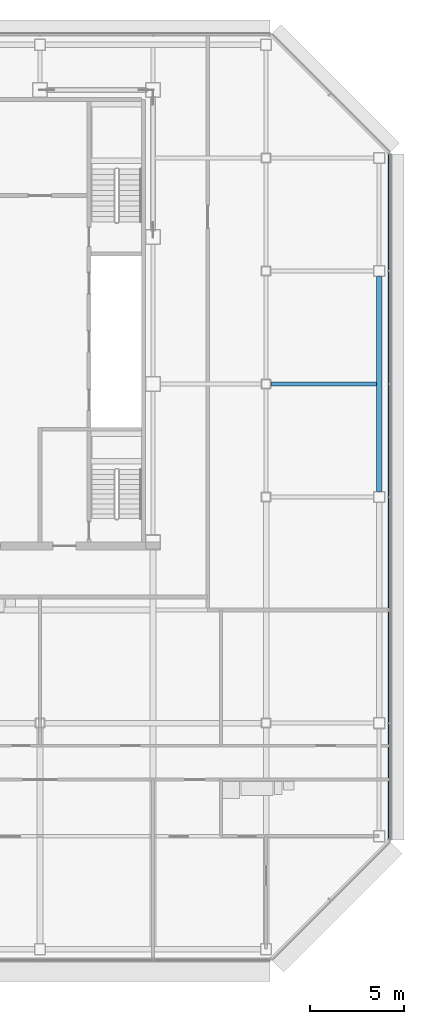
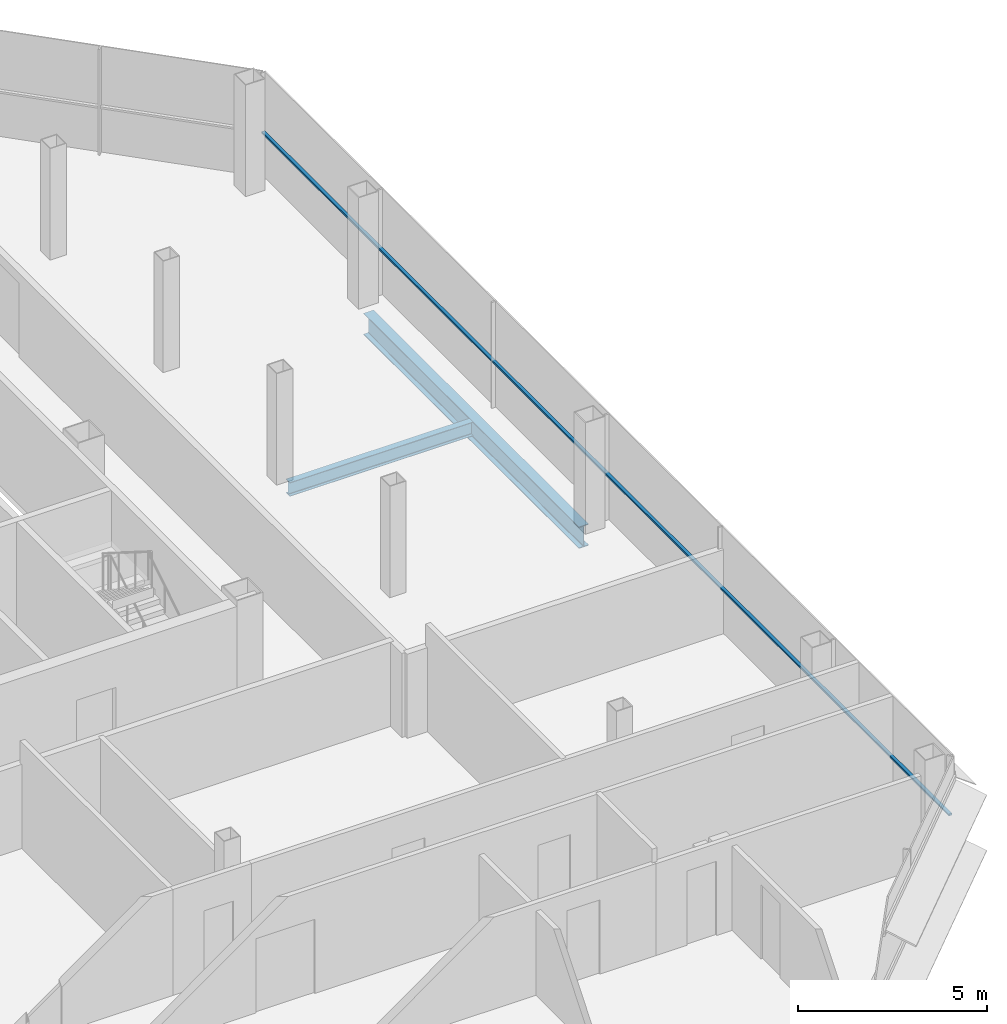
# One storey, part 18 of 28: 2 beams, 1 member, 1 element without a shape of its own.
"""IFC4 building model written with IfcOpenShell, lengths in metres."""

from ifc_helpers import new_model, si_unit, direction, frame, origin, origin_2d, place, context, subcontext, project, spatial, rectangle, i_section, extrude, material, material_profile, profile_set, type_object, element, aggregate, save


model = new_model("IFC4")

# Units and contexts
model_context = context("Model", 3, precision=1e-05, world=origin(), true_north=direction((0.0, 1.0)))
body_context = subcontext(model_context, "Body", "Model", "MODEL_VIEW")
ifc_project = project(units=[si_unit("LENGTHUNIT", "METRE"), si_unit("AREAUNIT", "SQUARE_METRE"), si_unit("VOLUMEUNIT", "CUBIC_METRE"), si_unit("PLANEANGLEUNIT", "RADIAN"), si_unit("MASSUNIT", "GRAM", prefix="KILO")], contexts=[model_context])

# Site, building, storey
site_placement = place(None, origin())
site = spatial("IfcSite", under=ifc_project, at=site_placement, CompositionType="ELEMENT")
building_placement = place(site_placement, origin())
building = spatial("IfcBuilding", under=site, at=building_placement, Name="Sorahane Residences", CompositionType="ELEMENT")
storey_placement = place(building_placement, frame((0.0, 0.0, 270.199951171875)))
storey = spatial("IfcBuildingStorey", under=building, at=storey_placement, Name="L64", CompositionType="ELEMENT", Elevation=270.199951171875)

# Curtain wall, member
ifc_material_1 = material(Name="Dark low-e glass and black anodised aluminium", Category="aluminium")
curtain_wall_type = type_object("IfcCurtainWallType", Name="Curtain wall CW-1 Typical unitised wall", PredefinedType="NOTDEFINED", material=ifc_material_1)
curtain_wall_placement = place(storey_placement, origin())
curtain_wall = element("IfcCurtainWall", 1, at=curtain_wall_placement, inside=storey, type_object=curtain_wall_type, Name="CW-1 curtain wall L64 E1", PredefinedType="NOTDEFINED")
ifc_material_2 = material(Name="Black anodised aluminium", Category="aluminium")
ifc_material_profile_1 = material_profile(ifc_material_2, rectangle(XDim=0.10009765625, YDim=0.06005859375, at=origin_2d()), Name="Curtain wall transom CW-1 black anodised aluminium 60x100")
ifc_profile_set_1 = profile_set([ifc_material_profile_1], Name="Black anodised aluminium")
member_type = type_object("IfcMemberType", Name="Curtain wall transom CW-1 black anodised aluminium 60x100", PredefinedType="USERDEFINED", material=ifc_profile_set_1)
member_placement = place(storey_placement, frame((54.530029296875, 5.801513671875, 1.5), z_axis=(0.0, 1.0, 0.0), x_axis=(-1.0, 0.0, 0.0)))
member = element("IfcMember", 2, at=member_placement, type_object=member_type, Name="CW-1 transom L64 E1", ObjectType="TRANSOM", PredefinedType="USERDEFINED", context=body_context, shape_type="SweptSolid", body=[
    extrude(rectangle(XDim=0.10009765625, YDim=0.06005859375, at=origin_2d()), origin(), (0.0, 0.0, 1.0), 36.39697265625),
])
aggregate(curtain_wall, [member])

# Beams
ifc_material_3 = material(Name="Steel Q355B", Category="steel")
ifc_material_profile_2 = material_profile(ifc_material_3, i_section(OverallWidth=0.199951171875, OverallDepth=0.449951171875, WebThickness=0.009033203125, FlangeThickness=0.013916015625, FilletRadius=0.02001953125, at=origin_2d()), Name="HN 450x200x9x14")
ifc_profile_set_2 = profile_set([ifc_material_profile_2], Name="Steel Q355B")
beam_type_1 = type_object("IfcBeamType", Name="Steel floor beam HN 450x200x9x14 Q355B", PredefinedType="BEAM", material=ifc_profile_set_2)
beam_1_placement = place(storey_placement, frame((48.25, 30.0, -0.405029296875), z_axis=(1.0, 0.0, 0.0), x_axis=(0.0, 1.0, 0.0)))
element("IfcBeam", 3, at=beam_1_placement, inside=storey, type_object=beam_type_1, Name="Beam L64 088", PredefinedType="BEAM", context=body_context, shape_type="SweptSolid", body=[
    extrude(i_section(OverallWidth=0.199951171875, OverallDepth=0.449951171875, WebThickness=0.009033203125, FlangeThickness=0.013916015625, FilletRadius=0.02001953125, at=origin_2d()), origin(), (0.0, 0.0, 1.0), 5.60009765625),
])
ifc_material_4 = material(Name="Steel Q355B", Category="steel")
ifc_material_profile_3 = material_profile(ifc_material_4, i_section(OverallWidth=0.300048828125, OverallDepth=0.699951171875, WebThickness=0.012939453125, FlangeThickness=0.02392578125, FilletRadius=0.028076171875, at=origin_2d()), Name="HN 700x300x13x24")
ifc_profile_set_3 = profile_set([ifc_material_profile_3], Name="Steel Q355B")
beam_type_2 = type_object("IfcBeamType", Name="Steel floor beam HN 700x300x13x24 Q355B", PredefinedType="BEAM", material=ifc_profile_set_3)
beam_2_placement = place(storey_placement, frame((54.0, 24.300048828125, -0.530029296875), z_axis=(0.0, 1.0, 0.0), x_axis=(-1.0, 0.0, 0.0)))
element("IfcBeam", 4, at=beam_2_placement, inside=storey, type_object=beam_type_2, Name="Beam L64 066", PredefinedType="BEAM", context=body_context, shape_type="SweptSolid", body=[
    extrude(i_section(OverallWidth=0.300048828125, OverallDepth=0.699951171875, WebThickness=0.012939453125, FlangeThickness=0.02392578125, FilletRadius=0.028076171875, at=origin_2d()), origin(), (0.0, 0.0, 1.0), 11.39990234375),
])

save(model, "model.ifc")
